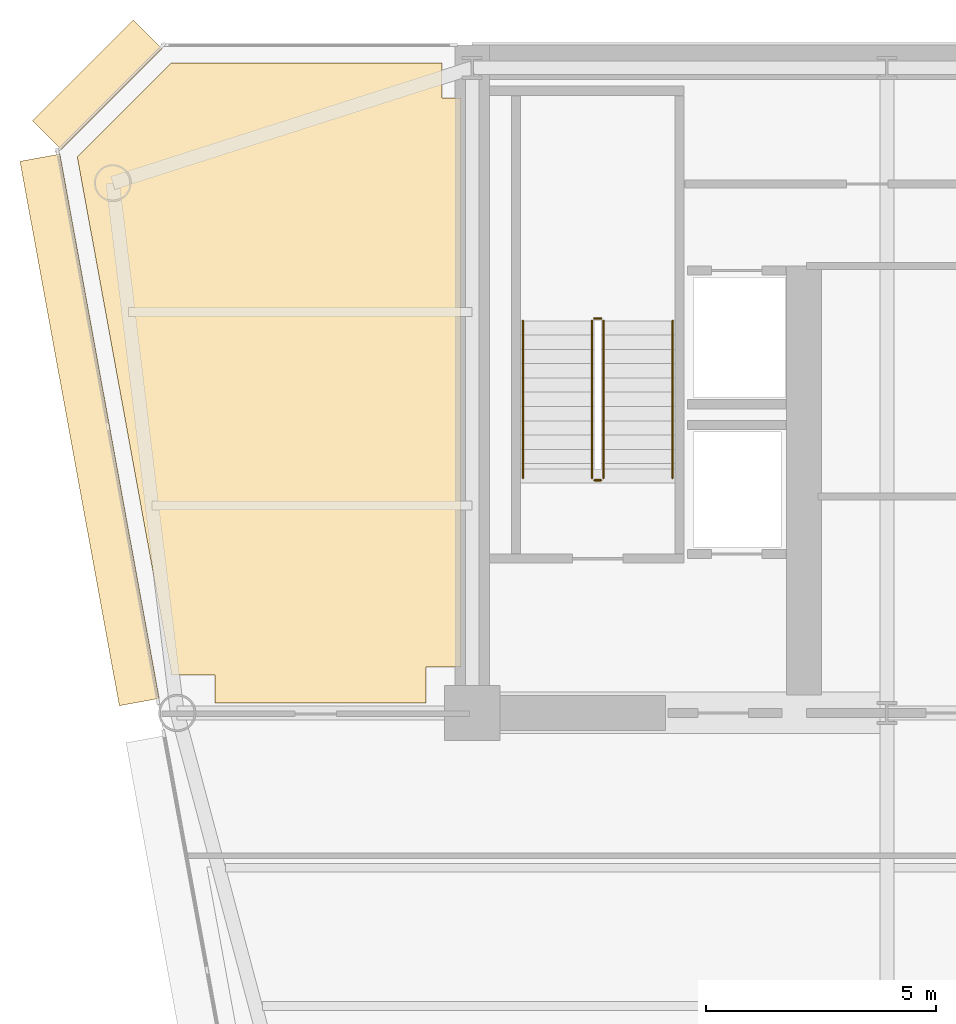
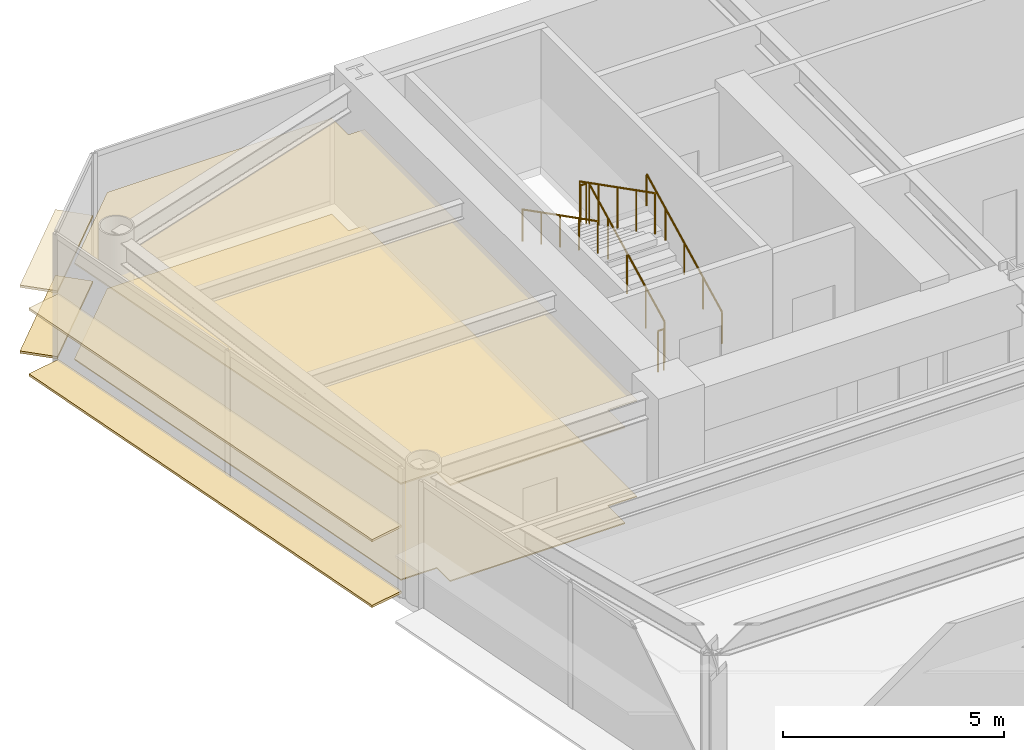
# One storey, part 15 of 17: 6 coverings, 6 railings.
"""IFC4 building model written with IfcOpenShell, lengths in metres."""

from ifc_helpers import new_model, si_unit, direction, frame, origin, origin_2d, place, context, subcontext, project, spatial, polyline, rectangle, circle, outline, extrude, source, transform, mapped, material, layer, layer_set, type_object, element, save


model = new_model("IFC4")

# Units and contexts
model_context = context("Model", 3, precision=1e-05, world=origin(), true_north=direction((0.0, 1.0)))
body_context = subcontext(model_context, "Body", "Model", "MODEL_VIEW")
ifc_project = project(units=[si_unit("LENGTHUNIT", "METRE"), si_unit("AREAUNIT", "SQUARE_METRE"), si_unit("VOLUMEUNIT", "CUBIC_METRE"), si_unit("PLANEANGLEUNIT", "RADIAN"), si_unit("MASSUNIT", "GRAM", prefix="KILO")], contexts=[model_context])

# Site, building, storey
site_placement = place(None, origin())
site = spatial("IfcSite", under=ifc_project, at=site_placement, CompositionType="ELEMENT")
building_placement = place(site_placement, origin())
building = spatial("IfcBuilding", under=site, at=building_placement, Name="Vaeldorn Concourse Tower", CompositionType="ELEMENT")
storey_placement = place(building_placement, frame((0.0, 0.0, 165.199951171875)))
storey = spatial("IfcBuildingStorey", under=building, at=storey_placement, Name="L42", CompositionType="ELEMENT", Elevation=165.199951171875)

# Coverings
ifc_material_1 = material(Name="Acoustic Mineral Fibre Board", Category="gypsum")
ifc_layer_1 = layer(ifc_material_1, 0.0400390625)
ifc_layer_set_1 = layer_set([ifc_layer_1], Name="Acoustic Mineral Fibre Board")
covering_type_1 = type_object("IfcCoveringType", Name="COV-CEIL-ACOUSTIC", PredefinedType="CEILING", material=ifc_layer_set_1)
covering_1_placement = place(storey_placement, frame((0.0, 0.0, 2.650146484375)))
element("IfcCovering", 1, at=covering_1_placement, inside=storey, type_object=covering_type_1, Name="Suspended Acoustic Ceiling L42-3", PredefinedType="CEILING", context=body_context, shape_type="SweptSolid", body=[
    extrude(outline(polyline([(7.4658203125, 50.60009765625), (13.340087890625, 50.60009765625), (13.340087890625, 49.840087890625), (13.760009765625, 49.840087890625), (13.760009765625, 37.5), (13.0, 37.5), (13.0, 36.719970703125), (8.419921875, 36.719970703125), (8.419921875, 37.320068359375), (7.482421875, 37.320068359375), (5.43115234375, 48.5654296875), (7.4658203125, 50.60009765625)])), origin(), (0.0, 0.0, 1.0), 0.039794921875),
])
ifc_material_2 = material(Name="Honed Limestone Terrazzo Flooring", Category="masonry")
ifc_layer_2 = layer(ifc_material_2, 0.0400390625)
ifc_layer_set_2 = layer_set([ifc_layer_2], Name="Honed Limestone Terrazzo Flooring")
covering_type_2 = type_object("IfcCoveringType", Name="COV-FLOOR-STONE", PredefinedType="FLOORING", material=ifc_layer_set_2)
covering_2_placement = place(storey_placement, origin())
element("IfcCovering", 2, at=covering_2_placement, inside=storey, type_object=covering_type_2, Name="Floor Finish Covering L42-3", PredefinedType="FLOORING", context=body_context, shape_type="SweptSolid", body=[
    extrude(outline(polyline([(7.4658203125, 50.60009765625), (13.340087890625, 50.60009765625), (13.340087890625, 49.840087890625), (13.760009765625, 49.840087890625), (13.760009765625, 37.5), (13.0, 37.5), (13.0, 36.719970703125), (8.419921875, 36.719970703125), (8.419921875, 37.320068359375), (7.482421875, 37.320068359375), (5.43115234375, 48.5654296875), (7.4658203125, 50.60009765625)])), origin(), (0.0, 0.0, 1.0), 0.030029296875),
])

# Railings
ifc_material_3 = material(Name="Anodised Bronze Aluminium", Category="aluminium")
railing_type_1 = type_object("IfcRailingType", Name="RL-STAIR-GUARD", PredefinedType="GUARDRAIL", material=ifc_material_3)
railing_1_placement = place(storey_placement, frame((16.85009765625, 41.60009765625, 0.158447265625)))
element("IfcRailing", 3, at=railing_1_placement, inside=storey, type_object=railing_type_1, Name="L42 ST-1 stair guard 1", PredefinedType="GUARDRAIL", context=body_context, shape_type="SweptSolid", body=[
    extrude(circle(Radius=0.02392578125, at=origin_2d()), frame((0.0, 0.0, 1.1259765625), z_axis=(0.0, 0.890555807335, 0.454873997962), x_axis=(-1.0, 0.0, 0.0)), (0.0, 0.0, 1.0), 3.828857421875),
    extrude(circle(Radius=0.02099609375, at=origin_2d()), origin(), (0.0, 0.0, 1.0), 1.101806640625),
    extrude(circle(Radius=0.02099609375, at=origin_2d()), frame((0.0, 0.8525390625, 0.435546875)), (0.0, 0.0, 1.0), 1.101806640625),
    extrude(circle(Radius=0.02099609375, at=origin_2d()), frame((0.0, 1.705078125, 0.870849609375)), (0.0, 0.0, 1.0), 1.101806640625),
    extrude(circle(Radius=0.02099609375, at=origin_2d()), frame((0.0, 2.557373046875, 1.30615234375)), (0.0, 0.0, 1.0), 1.101806640625),
    extrude(circle(Radius=0.02099609375, at=origin_2d()), frame((0.0, 3.409912109375, 1.74169921875)), (0.0, 0.0, 1.0), 1.101806640625),
])
railing_2_placement = place(storey_placement, frame((16.800048828125, 45.06005859375, 1.900146484375)))
element("IfcRailing", 4, at=railing_2_placement, inside=storey, type_object=railing_type_1, Name="L42 ST-1 stair guard 2", PredefinedType="GUARDRAIL", context=body_context, shape_type="SweptSolid", body=[
    extrude(circle(Radius=0.02392578125, at=origin_2d()), frame((0.0, 0.0, 1.1259765625), z_axis=(-1.0, 0.0, 0.0), x_axis=(0.0, -1.0, 0.0)), (0.0, 0.0, 1.0), 0.150146484375),
    extrude(circle(Radius=0.02099609375, at=origin_2d()), origin(), (0.0, 0.0, 1.0), 1.101806640625),
    extrude(circle(Radius=0.02099609375, at=origin_2d()), frame((-0.150146484375, 0.0, 0.0)), (0.0, 0.0, 1.0), 1.101806640625),
])
railing_3_placement = place(storey_placement, frame((16.60009765625, 45.010009765625, 2.058349609375)))
element("IfcRailing", 5, at=railing_3_placement, inside=storey, type_object=railing_type_1, Name="L42 ST-1 stair guard 3", PredefinedType="GUARDRAIL", context=body_context, shape_type="SweptSolid", body=[
    extrude(circle(Radius=0.02392578125, at=origin_2d()), frame((0.0, 0.0, 1.1259765625), z_axis=(0.0, -0.890555807335, 0.454873997962), x_axis=(1.0, 0.0, 0.0)), (0.0, 0.0, 1.0), 3.828857421875),
    extrude(circle(Radius=0.02099609375, at=origin_2d()), origin(), (0.0, 0.0, 1.0), 1.101806640625),
    extrude(circle(Radius=0.02099609375, at=origin_2d()), frame((0.0, -0.8525390625, 0.435546875)), (0.0, 0.0, 1.0), 1.101806640625),
    extrude(circle(Radius=0.02099609375, at=origin_2d()), frame((0.0, -1.705078125, 0.870849609375)), (0.0, 0.0, 1.0), 1.101806640625),
    extrude(circle(Radius=0.02099609375, at=origin_2d()), frame((0.0, -2.557373046875, 1.30615234375)), (0.0, 0.0, 1.0), 1.101806640625),
    extrude(circle(Radius=0.02099609375, at=origin_2d()), frame((0.0, -3.409912109375, 1.74169921875)), (0.0, 0.0, 1.0), 1.101806640625),
])
railing_4_placement = place(storey_placement, frame((16.800048828125, 41.550048828125, 0.0)))
element("IfcRailing", 6, at=railing_4_placement, inside=storey, type_object=railing_type_1, Name="L42 ST-1 stair guard 4", PredefinedType="GUARDRAIL", context=body_context, shape_type="SweptSolid", body=[
    extrude(circle(Radius=0.02392578125, at=origin_2d()), frame((0.0, 0.0, 1.1259765625), z_axis=(-1.0, 0.0, 0.0), x_axis=(0.0, -1.0, 0.0)), (0.0, 0.0, 1.0), 0.150146484375),
    extrude(circle(Radius=0.02099609375, at=origin_2d()), origin(), (0.0, 0.0, 1.0), 1.101806640625),
    extrude(circle(Radius=0.02099609375, at=origin_2d()), frame((-0.150146484375, 0.0, 0.0)), (0.0, 0.0, 1.0), 1.101806640625),
])
railing_type_2 = type_object("IfcRailingType", Name="RL-STAIR-HANDRAIL", PredefinedType="HANDRAIL", material=ifc_material_3)
railing_5_placement = place(storey_placement, frame((18.35009765625, 41.60009765625, 0.158447265625)))
element("IfcRailing", 7, at=railing_5_placement, inside=storey, type_object=railing_type_2, Name="L42 ST-1 stair handrail 1", PredefinedType="HANDRAIL", context=body_context, shape_type="SweptSolid", body=[
    extrude(circle(Radius=0.02392578125, at=origin_2d()), frame((0.0, 0.0, 0.8759765625), z_axis=(0.0, 0.890555807335, 0.454873997962), x_axis=(-1.0, 0.0, 0.0)), (0.0, 0.0, 1.0), 3.828857421875),
    extrude(circle(Radius=0.02099609375, at=origin_2d()), origin(), (0.0, 0.0, 1.0), 0.851806640625),
    extrude(circle(Radius=0.02099609375, at=origin_2d()), frame((0.0, 0.8525390625, 0.435546875)), (0.0, 0.0, 1.0), 0.851806640625),
    extrude(circle(Radius=0.02099609375, at=origin_2d()), frame((0.0, 1.705078125, 0.870849609375)), (0.0, 0.0, 1.0), 0.851806640625),
    extrude(circle(Radius=0.02099609375, at=origin_2d()), frame((0.0, 2.557373046875, 1.30615234375)), (0.0, 0.0, 1.0), 0.851806640625),
    extrude(circle(Radius=0.02099609375, at=origin_2d()), frame((0.0, 3.409912109375, 1.74169921875)), (0.0, 0.0, 1.0), 0.851806640625),
])
railing_6_placement = place(storey_placement, frame((15.10009765625, 45.010009765625, 2.058349609375)))
element("IfcRailing", 8, at=railing_6_placement, inside=storey, type_object=railing_type_2, Name="L42 ST-1 stair handrail 2", PredefinedType="HANDRAIL", context=body_context, shape_type="SweptSolid", body=[
    extrude(circle(Radius=0.02392578125, at=origin_2d()), frame((0.0, 0.0, 0.8759765625), z_axis=(0.0, -0.890555807335, 0.454873997962), x_axis=(1.0, 0.0, 0.0)), (0.0, 0.0, 1.0), 3.828857421875),
    extrude(circle(Radius=0.02099609375, at=origin_2d()), origin(), (0.0, 0.0, 1.0), 0.851806640625),
    extrude(circle(Radius=0.02099609375, at=origin_2d()), frame((0.0, -0.8525390625, 0.435546875)), (0.0, 0.0, 1.0), 0.851806640625),
    extrude(circle(Radius=0.02099609375, at=origin_2d()), frame((0.0, -1.705078125, 0.870849609375)), (0.0, 0.0, 1.0), 0.851806640625),
    extrude(circle(Radius=0.02099609375, at=origin_2d()), frame((0.0, -2.557373046875, 1.30615234375)), (0.0, 0.0, 1.0), 0.851806640625),
    extrude(circle(Radius=0.02099609375, at=origin_2d()), frame((0.0, -3.409912109375, 1.74169921875)), (0.0, 0.0, 1.0), 0.851806640625),
])

# Coverings
ifc_layer_3 = layer(ifc_material_3, 0.06494140625)
ifc_layer_set_3 = layer_set([ifc_layer_3], Name="Anodised Bronze Aluminium")
covering_type_3 = type_object("IfcCoveringType", Name="SD-BRONZE-SUNSHADE", PredefinedType="USERDEFINED", material=ifc_layer_set_3)
shared_shape_1 = source(origin(), body_context, "Body", "SweptSolid", [
    extrude(rectangle(XDim=3.0927734375, YDim=0.8798828125, at=origin_2d()), origin(), (0.0, 0.0, 1.0), 0.06494140625),
])
for number, where, z_axis, x_axis, name in (
    (9, (5.8671875, 50.1328125, 0.047607421875), (0.0, 0.0, 1.0), (-0.707106781187, -0.707106781187, 0.0), "Horizontal Bronze Sunshade L42-E10.1.1"),
    (10, (5.8671875, 50.1328125, 1.86767578125), (0.0, 0.0, 1.0), (-0.707106781187, -0.707106781187, 0.0), "Horizontal Bronze Sunshade L42-E10.1.2"),
):
    element("IfcCovering", number, at=place(storey_placement, frame(where, z_axis=z_axis, x_axis=x_axis)), inside=storey, type_object=covering_type_3, Name=name, ObjectType="SUNSHADE", PredefinedType="USERDEFINED", context=body_context, shape_type="MappedRepresentation", body=[
        mapped(shared_shape_1, transform((0.0, 0.0, 0.0), scale=1.0)),
    ])
shared_shape_2 = source(origin(), body_context, "Body", "SweptSolid", [
    extrude(rectangle(XDim=12.0078125, YDim=0.8798828125, at=origin_2d()), origin(), (0.0, 0.0, 1.0), 0.06494140625),
])
for number, where, z_axis, x_axis, name in (
    (11, (5.6982421875, 42.64306640625, 0.047607421875), (0.0, 0.0, 1.0), (0.179454713012, -0.983766235433, 0.0), "Horizontal Bronze Sunshade L42-E11.1.1"),
    (12, (5.6982421875, 42.64306640625, 1.86767578125), (0.0, 0.0, 1.0), (0.179454713012, -0.983766235433, 0.0), "Horizontal Bronze Sunshade L42-E11.1.2"),
):
    element("IfcCovering", number, at=place(storey_placement, frame(where, z_axis=z_axis, x_axis=x_axis)), inside=storey, type_object=covering_type_3, Name=name, ObjectType="SUNSHADE", PredefinedType="USERDEFINED", context=body_context, shape_type="MappedRepresentation", body=[
        mapped(shared_shape_2, transform((0.0, 0.0, 0.0), scale=1.0)),
    ])

save(model, "model.ifc")
